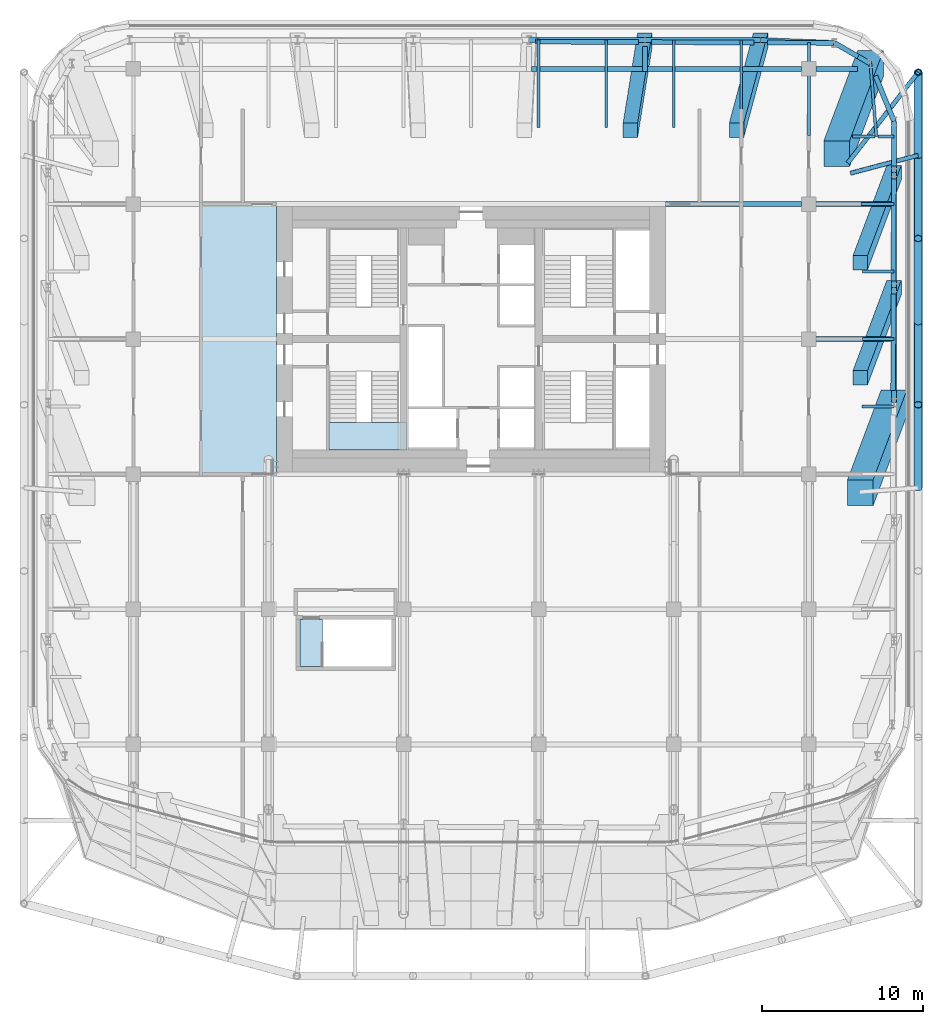
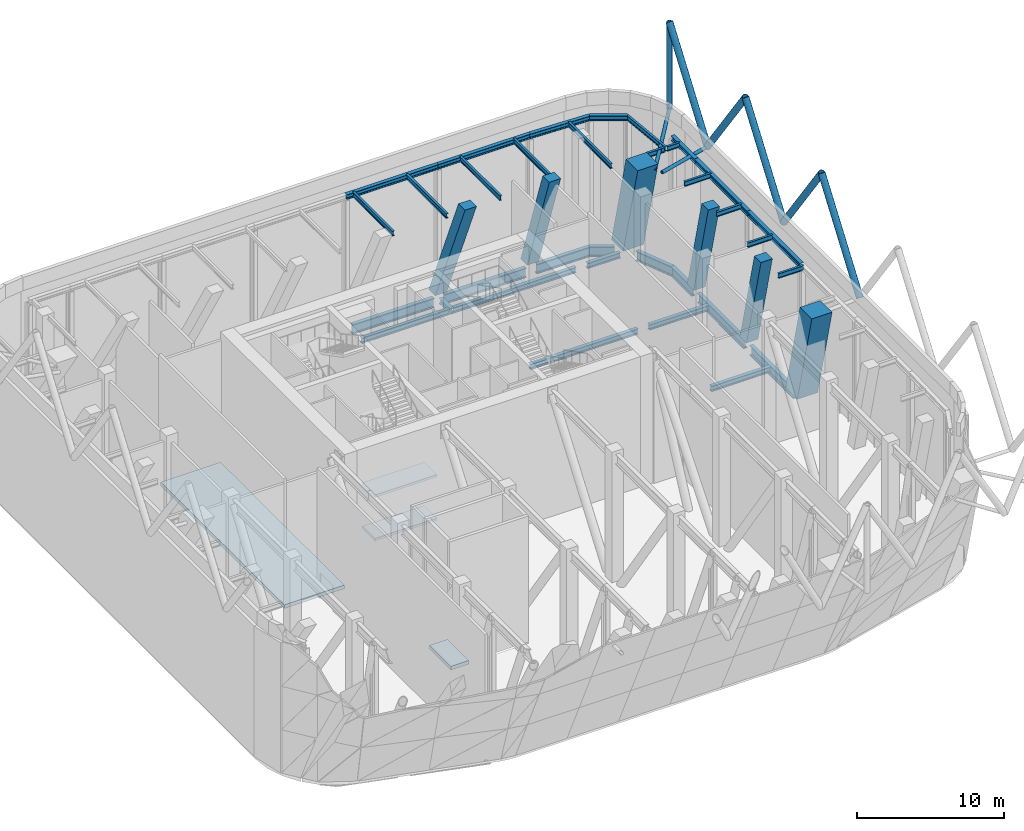
# One storey, part 8 of 20: 34 beams, 14 members, 4 slabs, 1 element without a shape of its own.
"""IFC4 building model written with IfcOpenShell, lengths in metres."""

from ifc_helpers import new_model, si_unit, direction, frame, origin, origin_2d, place, context, subcontext, project, spatial, polyline, rectangle, hollow_circle, i_section, outline, extrude, material, layer, layer_set, material_profile, profile_set, type_object, element, aggregate, save


model = new_model("IFC4")

# Units and contexts
model_context = context("Model", 3, precision=1e-05, world=origin(), true_north=direction((0.0, 1.0)))
body_context = subcontext(model_context, "Body", "Model", "MODEL_VIEW")
ifc_project = project(units=[si_unit("LENGTHUNIT", "METRE"), si_unit("AREAUNIT", "SQUARE_METRE"), si_unit("VOLUMEUNIT", "CUBIC_METRE"), si_unit("PLANEANGLEUNIT", "RADIAN"), si_unit("MASSUNIT", "GRAM", prefix="KILO")], contexts=[model_context])

# Site, building, storey
site_placement = place(None, origin())
site = spatial("IfcSite", under=ifc_project, at=site_placement, CompositionType="ELEMENT")
building_placement = place(site_placement, origin())
building = spatial("IfcBuilding", under=site, at=building_placement, Name="Marenta Gate Hotel Tower", CompositionType="ELEMENT")
storey_placement = place(building_placement, frame((0.0, 0.0, 169.699951171875)))
storey = spatial("IfcBuildingStorey", under=building, at=storey_placement, Name="L40", CompositionType="ELEMENT", Elevation=169.699951171875)

# Members
ifc_material_1 = material(Name="Steel S355J2W", Category="steel")
ifc_material_profile_1 = material_profile(ifc_material_1, hollow_circle(Radius=0.203125, WallThickness=0.02490234375, at=origin_2d()), Name="CHS 406.4x25")
ifc_profile_set_1 = profile_set([ifc_material_profile_1], Name="Steel S355J2W")
member_type_1 = type_object("IfcMemberType", Name="Diagrid corner post Z3 CHS 406.4x25", PredefinedType="POST", material=ifc_profile_set_1)
member_1_placement = place(storey_placement, frame((27.800048828125, 25.0, 10.340087890625), z_axis=(0.0, 0.0, 1.0), x_axis=(1.0, 0.0, 0.0)))
element("IfcMember", 1, at=member_1_placement, inside=storey, type_object=member_type_1, Name="L40-DR-1", PredefinedType="POST", context=body_context, shape_type="SweptSolid", body=[
    extrude(hollow_circle(Radius=0.203125, WallThickness=0.02490234375, at=origin_2d()), origin(), (0.0, 0.0, 1.0), 7.199951171875),
])
ifc_material_2 = material(Name="Steel S355J2W", Category="steel")
ifc_material_profile_2 = material_profile(ifc_material_2, hollow_circle(Radius=0.25390625, WallThickness=0.02490234375, at=origin_2d()), Name="CHS 508x25")
ifc_profile_set_2 = profile_set([ifc_material_profile_2], Name="Steel S355J2W")
member_type_2 = type_object("IfcMemberType", Name="Diagrid diagonal Z3 CHS 508x25", PredefinedType="BRACE", material=ifc_profile_set_2)
member_2_placement = place(storey_placement, frame((27.800048828125, 19.830078125, 10.340087890625), z_axis=(0.0, 0.583260841117, 0.812284919975), x_axis=(-1.0, 0.0, 0.0)))
element("IfcMember", 2, at=member_2_placement, inside=storey, type_object=member_type_2, Name="L40-DG-1", PredefinedType="BRACE", context=body_context, shape_type="SweptSolid", body=[
    extrude(hollow_circle(Radius=0.25390625, WallThickness=0.02490234375, at=origin_2d()), origin(), (0.0, 0.0, 1.0), 8.86376953125),
])
member_3_placement = place(storey_placement, frame((27.800048828125, 19.830078125, 10.340087890625), z_axis=(0.0, -0.583279014058, 0.812271870595), x_axis=(1.0, 0.0, 0.0)))
element("IfcMember", 3, at=member_3_placement, inside=storey, type_object=member_type_2, Name="L40-DG-2", PredefinedType="BRACE", context=body_context, shape_type="SweptSolid", body=[
    extrude(hollow_circle(Radius=0.25390625, WallThickness=0.02490234375, at=origin_2d()), origin(), (0.0, 0.0, 1.0), 8.864013671875),
])
member_4_placement = place(storey_placement, frame((27.800048828125, 9.489990234375, 10.340087890625), z_axis=(0.0, 0.583260841117, 0.812284919975), x_axis=(-1.0, 0.0, 0.0)))
element("IfcMember", 4, at=member_4_placement, inside=storey, type_object=member_type_2, Name="L40-DG-3", PredefinedType="BRACE", context=body_context, shape_type="SweptSolid", body=[
    extrude(hollow_circle(Radius=0.25390625, WallThickness=0.02490234375, at=origin_2d()), origin(), (0.0, 0.0, 1.0), 8.86376953125),
])
member_5_placement = place(storey_placement, frame((27.800048828125, 9.489990234375, 10.340087890625), z_axis=(0.0, -0.583279014058, 0.812271870595), x_axis=(1.0, 0.0, 0.0)))
element("IfcMember", 5, at=member_5_placement, inside=storey, type_object=member_type_2, Name="L40-DG-4", PredefinedType="BRACE", context=body_context, shape_type="SweptSolid", body=[
    extrude(hollow_circle(Radius=0.25390625, WallThickness=0.02490234375, at=origin_2d()), origin(), (0.0, 0.0, 1.0), 8.864013671875),
])
member_6_placement = place(storey_placement, frame((27.800048828125, -0.85009765625, 10.340087890625), z_axis=(0.0, 0.583260841117, 0.812284919975), x_axis=(-1.0, 0.0, 0.0)))
element("IfcMember", 6, at=member_6_placement, inside=storey, type_object=member_type_2, Name="L40-DG-5", PredefinedType="BRACE", context=body_context, shape_type="SweptSolid", body=[
    extrude(hollow_circle(Radius=0.25390625, WallThickness=0.02490234375, at=origin_2d()), origin(), (0.0, 0.0, 1.0), 8.86376953125),
])

# Beams
ifc_material_3 = material(Name="Steel S355", Category="steel")
ifc_material_profile_3 = material_profile(ifc_material_3, i_section(OverallWidth=0.302978515625, OverallDepth=0.81396484375, WebThickness=0.030029296875, FlangeThickness=0.052001953125, FilletRadius=0.030029296875, at=origin_2d()), Name="HEM 800")
ifc_profile_set_3 = profile_set([ifc_material_profile_3], Name="Steel S355")
beam_type_1 = type_object("IfcBeamType", Name="Edge beam HEM 800", PredefinedType="SPANDREL", material=ifc_profile_set_3)
beam_1_placement = place(storey_placement, frame((4.011474609375, 26.89697265625, -0.70703125), z_axis=(0.999991780119, -0.004054589324, 0.0), x_axis=(0.004054589324, 0.999991780119, 0.0)))
element("IfcBeam", 7, at=beam_1_placement, inside=storey, type_object=beam_type_1, Name="L40-EB-17", PredefinedType="SPANDREL", context=body_context, shape_type="SweptSolid", body=[
    extrude(i_section(OverallWidth=0.302978515625, OverallDepth=0.81396484375, WebThickness=0.030029296875, FlangeThickness=0.052001953125, FilletRadius=0.030029296875, at=origin_2d()), origin(), (0.0, 0.0, 1.0), 6.382568359375),
])
beam_2_placement = place(storey_placement, frame((11.214111328125, 26.86767578125, -0.70703125), z_axis=(0.999991780748, -0.00405443424, 0.0), x_axis=(0.00405443424, 0.999991780748, 0.0)))
element("IfcBeam", 8, at=beam_2_placement, inside=storey, type_object=beam_type_1, Name="L40-EB-18", PredefinedType="SPANDREL", context=body_context, shape_type="SweptSolid", body=[
    extrude(i_section(OverallWidth=0.302978515625, OverallDepth=0.81396484375, WebThickness=0.030029296875, FlangeThickness=0.052001953125, FilletRadius=0.030029296875, at=origin_2d()), origin(), (0.0, 0.0, 1.0), 6.3828125),
])
beam_3_placement = place(storey_placement, frame((18.4169921875, 26.83837890625, -0.70703125), z_axis=(0.999991621459, -0.004093532953, 0.0), x_axis=(0.004093532953, 0.999991621459, 0.0)))
element("IfcBeam", 9, at=beam_3_placement, inside=storey, type_object=beam_type_1, Name="L40-EB-19", PredefinedType="SPANDREL", context=body_context, shape_type="SweptSolid", body=[
    extrude(i_section(OverallWidth=0.302978515625, OverallDepth=0.81396484375, WebThickness=0.030029296875, FlangeThickness=0.052001953125, FilletRadius=0.030029296875, at=origin_2d()), origin(), (0.0, 0.0, 1.0), 4.1748046875),
])
beam_4_placement = place(storey_placement, frame((22.591796875, 26.8212890625, -0.70703125), z_axis=(0.866016478054, -0.500015459501, 0.0), x_axis=(0.500015459501, 0.866016478054, 0.0)))
element("IfcBeam", 10, at=beam_4_placement, inside=storey, type_object=beam_type_1, Name="L40-EB-20", PredefinedType="SPANDREL", context=body_context, shape_type="SweptSolid", body=[
    extrude(i_section(OverallWidth=0.302978515625, OverallDepth=0.81396484375, WebThickness=0.030029296875, FlangeThickness=0.052001953125, FilletRadius=0.030029296875, at=origin_2d()), origin(), (0.0, 0.0, 1.0), 1.70703125),
])
beam_5_placement = place(storey_placement, frame((25.138916015625, 24.7724609375, -0.70703125), z_axis=(0.378682450416, -0.925526661824, 0.0), x_axis=(0.925526661824, 0.378682450416, 0.0)))
element("IfcBeam", 11, at=beam_5_placement, inside=storey, type_object=beam_type_1, Name="L40-EB-21", PredefinedType="SPANDREL", context=body_context, shape_type="SweptSolid", body=[
    extrude(i_section(OverallWidth=0.302978515625, OverallDepth=0.81396484375, WebThickness=0.030029296875, FlangeThickness=0.052001953125, FilletRadius=0.030029296875, at=origin_2d()), origin(), (0.0, 0.0, 1.0), 3.066162109375),
])
beam_6_placement = place(storey_placement, frame((26.300048828125, 21.9345703125, -0.70703125), z_axis=(-0.003351542298, -0.999994383566, 0.0), x_axis=(0.999994383566, -0.003351542298, 0.0)))
element("IfcBeam", 12, at=beam_6_placement, inside=storey, type_object=beam_type_1, Name="L40-EB-22", PredefinedType="SPANDREL", context=body_context, shape_type="SweptSolid", body=[
    extrude(i_section(OverallWidth=0.302978515625, OverallDepth=0.81396484375, WebThickness=0.030029296875, FlangeThickness=0.052001953125, FilletRadius=0.030029296875, at=origin_2d()), origin(), (0.0, 0.0, 1.0), 2.76806640625),
])
beam_7_placement = place(storey_placement, frame((26.2880859375, 18.346435546875, -0.70703125), z_axis=(-0.00335374545, -0.99999437618, 0.0), x_axis=(0.99999437618, -0.00335374545, 0.0)))
element("IfcBeam", 13, at=beam_7_placement, inside=storey, type_object=beam_type_1, Name="L40-EB-23", PredefinedType="SPANDREL", context=body_context, shape_type="SweptSolid", body=[
    extrude(i_section(OverallWidth=0.302978515625, OverallDepth=0.81396484375, WebThickness=0.030029296875, FlangeThickness=0.052001953125, FilletRadius=0.030029296875, at=origin_2d()), origin(), (0.0, 0.0, 1.0), 6.333251953125),
])
beam_8_placement = place(storey_placement, frame((26.26416015625, 11.193115234375, -0.70703125), z_axis=(-0.003305160059, -0.999994537944, 0.0), x_axis=(0.999994537944, -0.003305160059, 0.0)))
element("IfcBeam", 14, at=beam_8_placement, inside=storey, type_object=beam_type_1, Name="L40-EB-24", PredefinedType="SPANDREL", context=body_context, shape_type="SweptSolid", body=[
    extrude(i_section(OverallWidth=0.302978515625, OverallDepth=0.81396484375, WebThickness=0.030029296875, FlangeThickness=0.052001953125, FilletRadius=0.030029296875, at=origin_2d()), origin(), (0.0, 0.0, 1.0), 5.983154296875),
])

# Members
ifc_material_4 = material(Name="Concrete C70", Category="concrete")
ifc_material_profile_4 = material_profile(ifc_material_4, rectangle(XDim=0.89990234375, YDim=0.89990234375, at=origin_2d()), Name="900 x 900")
ifc_profile_set_4 = profile_set([ifc_material_profile_4], Name="Concrete C70")
member_type_3 = type_object("IfcMemberType", Name="Edge column raked 900 x 900 C70", PredefinedType="STRUT", material=ifc_profile_set_4)
member_7_placement = place(storey_placement, frame((10.80419921875, 27.0, 0.0), z_axis=(0.0, 0.0, 1.0), x_axis=(1.0, 0.0, 0.0)))
element("IfcMember", 15, at=member_7_placement, inside=storey, type_object=member_type_3, Name="L40-EC-NW-NE-5", PredefinedType="STRUT", context=body_context, shape_type="SweptSolid", body=[
    extrude(rectangle(XDim=0.89990234375, YDim=0.89990234375, at=origin_2d()), origin(), (-0.073789337553, -0.459066944614, 0.885331956966), 12.198974609375),
])
member_8_placement = place(storey_placement, frame((18.0068359375, 27.0, 0.0), z_axis=(0.0, 0.0, 1.0), x_axis=(1.0, 0.0, 0.0)))
element("IfcMember", 16, at=member_8_placement, inside=storey, type_object=member_type_3, Name="L40-EC-NW-NE-6", PredefinedType="STRUT", context=body_context, shape_type="SweptSolid", body=[
    extrude(rectangle(XDim=0.89990234375, YDim=0.89990234375, at=origin_2d()), origin(), (-0.122371677564, -0.456862229812, 0.881080061914), 12.2578125),
])
member_9_placement = place(storey_placement, frame((26.300048828125, 18.75634765625, 0.0), z_axis=(0.0, 0.0, 1.0), x_axis=(1.0, 0.0, 0.0)))
element("IfcMember", 17, at=member_9_placement, inside=storey, type_object=member_type_3, Name="L40-EC-NE-E-1", PredefinedType="STRUT", context=body_context, shape_type="SweptSolid", body=[
    extrude(rectangle(XDim=0.89990234375, YDim=0.89990234375, at=origin_2d()), origin(), (-0.170111239528, -0.453597012445, 0.874821076842), 12.345458984375),
])
member_10_placement = place(storey_placement, frame((26.300048828125, 11.603271484375, 0.0), z_axis=(0.0, 0.0, 1.0), x_axis=(1.0, 0.0, 0.0)))
element("IfcMember", 18, at=member_10_placement, inside=storey, type_object=member_type_3, Name="L40-EC-NE-E-2", PredefinedType="STRUT", context=body_context, shape_type="SweptSolid", body=[
    extrude(rectangle(XDim=0.89990234375, YDim=0.89990234375, at=origin_2d()), origin(), (-0.170109713578, -0.45361271914, 0.874813229427), 12.345458984375),
])
ifc_material_5 = material(Name="Steel S355J2W", Category="steel")
ifc_material_profile_5 = material_profile(ifc_material_5, hollow_circle(Radius=0.136474609375, WallThickness=0.012451171875, at=origin_2d()), Name="CHS 273x12.5")
ifc_profile_set_5 = profile_set([ifc_material_profile_5], Name="Steel S355J2W")
member_type_4 = type_object("IfcMemberType", Name="Floor tie CHS 273x12.5", PredefinedType="STRUT", material=ifc_profile_set_5)
member_11_placement = place(storey_placement, frame((27.800048828125, 25.0, 10.340087890625), z_axis=(-0.612606853959, -0.790387779816, 0.0), x_axis=(0.790387779816, -0.612606853959, 0.0)))
element("IfcMember", 19, at=member_11_placement, inside=storey, type_object=member_type_4, Name="L40-DR-7", PredefinedType="STRUT", context=body_context, shape_type="SweptSolid", body=[
    extrude(hollow_circle(Radius=0.136474609375, WallThickness=0.012451171875, at=origin_2d()), origin(), (0.0, 0.0, 1.0), 7.15185546875),
])
member_12_placement = place(storey_placement, frame((27.800048828125, 19.830078125, 10.340087890625), z_axis=(-0.966765507576, -0.255664728426, 0.0), x_axis=(0.255664728426, -0.966765507576, 0.0)))
element("IfcMember", 20, at=member_12_placement, inside=storey, type_object=member_type_4, Name="L40-DR-8", PredefinedType="STRUT", context=body_context, shape_type="SweptSolid", body=[
    extrude(hollow_circle(Radius=0.136474609375, WallThickness=0.012451171875, at=origin_2d()), origin(), (0.0, 0.0, 1.0), 4.359130859375),
])

# Beams
ifc_material_6 = material(Name="Steel S355", Category="steel")
ifc_material_profile_6 = material_profile(ifc_material_6, i_section(OverallWidth=0.300048828125, OverallDepth=0.449951171875, WebThickness=0.013916015625, FlangeThickness=0.02587890625, FilletRadius=0.027099609375, at=origin_2d()), Name="HEB 450")
ifc_profile_set_6 = profile_set([ifc_material_profile_6], Name="Steel S355")
beam_type_2 = type_object("IfcBeamType", Name="Girder HEB 450", PredefinedType="BEAM", material=ifc_profile_set_6)
beam_9_placement = place(storey_placement, frame((21.449951171875, 8.39990234375, -0.52490234375), z_axis=(1.0, 0.0, 0.0), x_axis=(0.0, 1.0, 0.0)))
element("IfcBeam", 21, at=beam_9_placement, inside=storey, type_object=beam_type_2, Name="L40-GD-25", PredefinedType="BEAM", context=body_context, shape_type="SweptSolid", body=[
    extrude(i_section(OverallWidth=0.300048828125, OverallDepth=0.449951171875, WebThickness=0.013916015625, FlangeThickness=0.02587890625, FilletRadius=0.027099609375, at=origin_2d()), origin(), (0.0, 0.0, 1.0), 4.653564453125),
])
beam_10_placement = place(storey_placement, frame((12.10009765625, 16.800048828125, -0.52490234375), z_axis=(1.0, 0.0, 0.0), x_axis=(0.0, 1.0, 0.0)))
element("IfcBeam", 22, at=beam_10_placement, inside=storey, type_object=beam_type_2, Name="L40-GD-29", PredefinedType="BEAM", context=body_context, shape_type="SweptSolid", body=[
    extrude(i_section(OverallWidth=0.300048828125, OverallDepth=0.449951171875, WebThickness=0.013916015625, FlangeThickness=0.02587890625, FilletRadius=0.027099609375, at=origin_2d()), origin(), (0.0, 0.0, 1.0), 8.449951171875),
])
beam_11_placement = place(storey_placement, frame((21.449951171875, 16.800048828125, -0.52490234375), z_axis=(1.0, 0.0, 0.0), x_axis=(0.0, 1.0, 0.0)))
element("IfcBeam", 23, at=beam_11_placement, inside=storey, type_object=beam_type_2, Name="L40-GD-30", PredefinedType="BEAM", context=body_context, shape_type="SweptSolid", body=[
    extrude(i_section(OverallWidth=0.300048828125, OverallDepth=0.449951171875, WebThickness=0.013916015625, FlangeThickness=0.02587890625, FilletRadius=0.027099609375, at=origin_2d()), origin(), (0.0, 0.0, 1.0), 4.681396484375),
])
beam_12_placement = place(storey_placement, frame((3.75146484375, 25.199951171875, -0.52490234375), z_axis=(1.0, 0.0, 0.0), x_axis=(0.0, 1.0, 0.0)))
element("IfcBeam", 24, at=beam_12_placement, inside=storey, type_object=beam_type_2, Name="L40-GD-35", PredefinedType="BEAM", context=body_context, shape_type="SweptSolid", body=[
    extrude(i_section(OverallWidth=0.300048828125, OverallDepth=0.449951171875, WebThickness=0.013916015625, FlangeThickness=0.02587890625, FilletRadius=0.027099609375, at=origin_2d()), origin(), (0.0, 0.0, 1.0), 6.902587890625),
])
beam_13_placement = place(storey_placement, frame((10.9541015625, 25.199951171875, -0.52490234375), z_axis=(1.0, 0.0, 0.0), x_axis=(0.0, 1.0, 0.0)))
element("IfcBeam", 25, at=beam_13_placement, inside=storey, type_object=beam_type_2, Name="L40-GD-36", PredefinedType="BEAM", context=body_context, shape_type="SweptSolid", body=[
    extrude(i_section(OverallWidth=0.300048828125, OverallDepth=0.449951171875, WebThickness=0.013916015625, FlangeThickness=0.02587890625, FilletRadius=0.027099609375, at=origin_2d()), origin(), (0.0, 0.0, 1.0), 9.595947265625),
])
beam_14_placement = place(storey_placement, frame((21.449951171875, 25.199951171875, -0.52490234375), z_axis=(1.0, 0.0, 0.0), x_axis=(0.0, 1.0, 0.0)))
element("IfcBeam", 26, at=beam_14_placement, inside=storey, type_object=beam_type_2, Name="L40-GD-37", PredefinedType="BEAM", context=body_context, shape_type="SweptSolid", body=[
    extrude(i_section(OverallWidth=0.300048828125, OverallDepth=0.449951171875, WebThickness=0.013916015625, FlangeThickness=0.02587890625, FilletRadius=0.027099609375, at=origin_2d()), origin(), (0.0, 0.0, 1.0), 2.58544921875),
])
ifc_material_7 = material(Name="Steel S355", Category="steel")
ifc_material_profile_7 = material_profile(ifc_material_7, i_section(OverallWidth=0.300048828125, OverallDepth=0.449951171875, WebThickness=0.013916015625, FlangeThickness=0.02587890625, FilletRadius=0.027099609375, at=origin_2d()), Name="HEB 450")
ifc_profile_set_7 = profile_set([ifc_material_profile_7], Name="Steel S355")
beam_type_3 = type_object("IfcBeamType", Name="Girder bracket HEB 450", PredefinedType="BEAM", material=ifc_profile_set_7)
beam_15_placement = place(storey_placement, frame((10.80419921875, 25.050048828125, -0.52490234375), z_axis=(0.0, 1.0, 0.0), x_axis=(-1.0, 0.0, 0.0)))
element("IfcBeam", 27, at=beam_15_placement, inside=storey, type_object=beam_type_3, Name="L40-GS-4", PredefinedType="BEAM", context=body_context, shape_type="SweptSolid", body=[
    extrude(i_section(OverallWidth=0.300048828125, OverallDepth=0.449951171875, WebThickness=0.013916015625, FlangeThickness=0.02587890625, FilletRadius=0.027099609375, at=origin_2d()), origin(), (0.0, 0.0, 1.0), 1.5400390625),
])

# Members
ifc_material_8 = material(Name="Concrete C70", Category="concrete")
ifc_material_profile_8 = material_profile(ifc_material_8, rectangle(XDim=1.60009765625, YDim=1.60009765625, at=origin_2d()), Name="1600 x 1600")
ifc_profile_set_8 = profile_set([ifc_material_profile_8], Name="Concrete C70")
member_type_5 = type_object("IfcMemberType", Name="Mega column raked 1600 x 1600 C70", PredefinedType="STRUT", material=ifc_profile_set_8)
member_13_placement = place(storey_placement, frame((26.300048828125, 4.449951171875, 0.0), z_axis=(0.0, 0.0, 1.0), x_axis=(1.0, 0.0, 0.0)))
element("IfcMember", 28, at=member_13_placement, inside=storey, type_object=member_type_5, Name="L40-MC-E", PredefinedType="STRUT", context=body_context, shape_type="SweptSolid", body=[
    extrude(rectangle(XDim=1.60009765625, YDim=1.60009765625, at=origin_2d()), origin(), (-0.170111239528, -0.453597012445, 0.874821076842), 12.345458984375),
])
member_14_placement = place(storey_placement, frame((24.83544921875, 25.535400390625, 0.0), z_axis=(0.0, 0.0, 1.0), x_axis=(1.0, 0.0, 0.0)))
element("IfcMember", 29, at=member_14_placement, inside=storey, type_object=member_type_5, Name="L40-MC-NE", PredefinedType="STRUT", context=body_context, shape_type="SweptSolid", body=[
    extrude(rectangle(XDim=1.60009765625, YDim=1.60009765625, at=origin_2d()), origin(), (-0.170092035922, -0.453598538302, 0.874824019656), 12.345458984375),
])

# Beams
ifc_material_9 = material(Name="Steel S355", Category="steel")
ifc_material_profile_9 = material_profile(ifc_material_9, i_section(OverallWidth=0.179931640625, OverallDepth=0.39990234375, WebThickness=0.008544921875, FlangeThickness=0.013427734375, FilletRadius=0.02099609375, at=origin_2d()), Name="IPE 400")
ifc_profile_set_9 = profile_set([ifc_material_profile_9], Name="Steel S355")
beam_type_4 = type_object("IfcBeamType", Name="Terrace beam IPE 400", PredefinedType="JOIST", material=ifc_profile_set_9)
for number, where, z_axis, x_axis, name in (
    (30, (4.199951171875, 21.551025390625, 10.340087890625), (0.0, 1.0, 0.0), (-1.0, 0.0, 0.0), "L40-TB-8"),
    (31, (8.39990234375, 21.551025390625, 10.340087890625), (0.0, 1.0, 0.0), (-1.0, 0.0, 0.0), "L40-TB-9"),
    (32, (12.60009765625, 21.551025390625, 10.340087890625), (0.0, 1.0, 0.0), (-1.0, 0.0, 0.0), "L40-TB-10"),
    (33, (16.800048828125, 21.551025390625, 10.340087890625), (0.0, 1.0, 0.0), (-1.0, 0.0, 0.0), "L40-TB-11"),
):
    element("IfcBeam", number, at=place(storey_placement, frame(where, z_axis=z_axis, x_axis=x_axis)), inside=storey, type_object=beam_type_4, Name=name, PredefinedType="JOIST", context=body_context, shape_type="SweptSolid", body=[
        extrude(i_section(OverallWidth=0.179931640625, OverallDepth=0.39990234375, WebThickness=0.008544921875, FlangeThickness=0.013427734375, FilletRadius=0.02099609375, at=origin_2d()), origin(), (0.0, 0.0, 1.0), 5.448974609375),
    ])
beam_16_placement = place(storey_placement, frame((21.0, 21.062744140625, 10.340087890625), z_axis=(0.0, 1.0, 0.0), x_axis=(-1.0, 0.0, 0.0)))
element("IfcBeam", 34, at=beam_16_placement, inside=storey, type_object=beam_type_4, Name="L40-TB-12", PredefinedType="JOIST", context=body_context, shape_type="SweptSolid", body=[
    extrude(i_section(OverallWidth=0.179931640625, OverallDepth=0.39990234375, WebThickness=0.008544921875, FlangeThickness=0.013427734375, FilletRadius=0.02099609375, at=origin_2d()), origin(), (0.0, 0.0, 1.0), 5.786376953125),
])
beam_17_placement = place(storey_placement, frame((25.199951171875, 21.0, 10.340087890625), z_axis=(-0.081551516595, 0.996669127715, 0.0), x_axis=(-0.996669127715, -0.081551516595, 0.0)))
element("IfcBeam", 35, at=beam_17_placement, inside=storey, type_object=beam_type_4, Name="L40-TB-13", PredefinedType="JOIST", context=body_context, shape_type="SweptSolid", body=[
    extrude(i_section(OverallWidth=0.179931640625, OverallDepth=0.39990234375, WebThickness=0.008544921875, FlangeThickness=0.013427734375, FilletRadius=0.02099609375, at=origin_2d()), origin(), (0.0, 0.0, 1.0), 4.54443359375),
])
beam_18_placement = place(storey_placement, frame((24.310546875, 4.199951171875, 10.340087890625), z_axis=(1.0, 0.0, 0.0), x_axis=(0.0, 1.0, 0.0)))
element("IfcBeam", 36, at=beam_18_placement, inside=storey, type_object=beam_type_4, Name="L40-TB-18", PredefinedType="JOIST", context=body_context, shape_type="SweptSolid", body=[
    extrude(i_section(OverallWidth=0.179931640625, OverallDepth=0.39990234375, WebThickness=0.008544921875, FlangeThickness=0.013427734375, FilletRadius=0.02099609375, at=origin_2d()), origin(), (0.0, 0.0, 1.0), 1.989501953125),
])
beam_19_placement = place(storey_placement, frame((24.324462890625, 8.39990234375, 10.340087890625), z_axis=(1.0, 0.0, 0.0), x_axis=(0.0, 1.0, 0.0)))
element("IfcBeam", 37, at=beam_19_placement, inside=storey, type_object=beam_type_4, Name="L40-TB-19", PredefinedType="JOIST", context=body_context, shape_type="SweptSolid", body=[
    extrude(i_section(OverallWidth=0.179931640625, OverallDepth=0.39990234375, WebThickness=0.008544921875, FlangeThickness=0.013427734375, FilletRadius=0.02099609375, at=origin_2d()), origin(), (0.0, 0.0, 1.0), 1.9755859375),
])
beam_20_placement = place(storey_placement, frame((24.338623046875, 12.60009765625, 10.340087890625), z_axis=(1.0, 0.0, 0.0), x_axis=(0.0, 1.0, 0.0)))
element("IfcBeam", 38, at=beam_20_placement, inside=storey, type_object=beam_type_4, Name="L40-TB-20", PredefinedType="JOIST", context=body_context, shape_type="SweptSolid", body=[
    extrude(i_section(OverallWidth=0.179931640625, OverallDepth=0.39990234375, WebThickness=0.008544921875, FlangeThickness=0.013427734375, FilletRadius=0.02099609375, at=origin_2d()), origin(), (0.0, 0.0, 1.0), 1.96142578125),
])
beam_21_placement = place(storey_placement, frame((24.233154296875, 16.800048828125, 10.340087890625), z_axis=(1.0, 0.0, 0.0), x_axis=(0.0, 1.0, 0.0)))
element("IfcBeam", 39, at=beam_21_placement, inside=storey, type_object=beam_type_4, Name="L40-TB-21", PredefinedType="JOIST", context=body_context, shape_type="SweptSolid", body=[
    extrude(i_section(OverallWidth=0.179931640625, OverallDepth=0.39990234375, WebThickness=0.008544921875, FlangeThickness=0.013427734375, FilletRadius=0.02099609375, at=origin_2d()), origin(), (0.0, 0.0, 1.0), 2.06689453125),
])
beam_22_placement = place(storey_placement, frame((23.700927734375, 21.0, 10.340087890625), z_axis=(1.0, 0.0, 0.0), x_axis=(0.0, 1.0, 0.0)))
element("IfcBeam", 40, at=beam_22_placement, inside=storey, type_object=beam_type_4, Name="L40-TB-22", PredefinedType="JOIST", context=body_context, shape_type="SweptSolid", body=[
    extrude(i_section(OverallWidth=0.179931640625, OverallDepth=0.39990234375, WebThickness=0.008544921875, FlangeThickness=0.013427734375, FilletRadius=0.02099609375, at=origin_2d()), origin(), (0.0, 0.0, 1.0), 1.40869140625),
])
beam_23_placement = place(storey_placement, frame((25.290283203125, 21.0, 10.340087890625), z_axis=(1.0, 0.0, 0.0), x_axis=(0.0, 1.0, 0.0)))
element("IfcBeam", 41, at=beam_23_placement, inside=storey, type_object=beam_type_4, Name="L40-TB-32", PredefinedType="JOIST", context=body_context, shape_type="SweptSolid", body=[
    extrude(i_section(OverallWidth=0.179931640625, OverallDepth=0.39990234375, WebThickness=0.008544921875, FlangeThickness=0.013427734375, FilletRadius=0.02099609375, at=origin_2d()), origin(), (0.0, 0.0, 1.0), 1.009765625),
])
ifc_material_10 = material(Name="Steel S355", Category="steel")
ifc_material_profile_10 = material_profile(ifc_material_10, i_section(OverallWidth=0.300048828125, OverallDepth=0.39990234375, WebThickness=0.013427734375, FlangeThickness=0.02392578125, FilletRadius=0.027099609375, at=origin_2d()), Name="HEB 400")
ifc_profile_set_10 = profile_set([ifc_material_profile_10], Name="Steel S355")
beam_type_5 = type_object("IfcBeamType", Name="Terrace edge beam HEB 400", PredefinedType="SPANDREL", material=ifc_profile_set_10)
beam_24_placement = place(storey_placement, frame((3.601318359375, 27.0, 10.340087890625), z_axis=(1.0, 0.0, 0.0), x_axis=(0.0, 1.0, 0.0)))
element("IfcBeam", 42, at=beam_24_placement, inside=storey, type_object=beam_type_5, Name="L40-TE-13", PredefinedType="SPANDREL", context=body_context, shape_type="SweptSolid", body=[
    extrude(i_section(OverallWidth=0.300048828125, OverallDepth=0.39990234375, WebThickness=0.013427734375, FlangeThickness=0.02392578125, FilletRadius=0.027099609375, at=origin_2d()), origin(), (0.0, 0.0, 1.0), 7.202880859375),
])
beam_25_placement = place(storey_placement, frame((10.80419921875, 27.0, 10.340087890625), z_axis=(1.0, 0.0, 0.0), x_axis=(0.0, 1.0, 0.0)))
element("IfcBeam", 43, at=beam_25_placement, inside=storey, type_object=beam_type_5, Name="L40-TE-14", PredefinedType="SPANDREL", context=body_context, shape_type="SweptSolid", body=[
    extrude(i_section(OverallWidth=0.300048828125, OverallDepth=0.39990234375, WebThickness=0.013427734375, FlangeThickness=0.02392578125, FilletRadius=0.027099609375, at=origin_2d()), origin(), (0.0, 0.0, 1.0), 7.20263671875),
])
beam_26_placement = place(storey_placement, frame((18.0068359375, 27.0, 10.340087890625), z_axis=(0.999241236412, -0.038948060972, 0.0), x_axis=(0.038948060972, 0.999241236412, 0.0)))
element("IfcBeam", 44, at=beam_26_placement, inside=storey, type_object=beam_type_5, Name="L40-TE-15", PredefinedType="SPANDREL", context=body_context, shape_type="SweptSolid", body=[
    extrude(i_section(OverallWidth=0.300048828125, OverallDepth=0.39990234375, WebThickness=0.013427734375, FlangeThickness=0.02392578125, FilletRadius=0.027099609375, at=origin_2d()), origin(), (0.0, 0.0, 1.0), 4.58837890625),
])
beam_27_placement = place(storey_placement, frame((22.591796875, 26.8212890625, 10.340087890625), z_axis=(0.866001476168, -0.500041441558, 0.0), x_axis=(0.500041441558, 0.866001476168, 0.0)))
element("IfcBeam", 45, at=beam_27_placement, inside=storey, type_object=beam_type_5, Name="L40-TE-16", PredefinedType="SPANDREL", context=body_context, shape_type="SweptSolid", body=[
    extrude(i_section(OverallWidth=0.300048828125, OverallDepth=0.39990234375, WebThickness=0.013427734375, FlangeThickness=0.02392578125, FilletRadius=0.027099609375, at=origin_2d()), origin(), (0.0, 0.0, 1.0), 2.583740234375),
])
beam_28_placement = place(storey_placement, frame((26.300048828125, 21.9345703125, 10.340087890625), z_axis=(0.0, -1.0, 0.0), x_axis=(1.0, 0.0, 0.0)))
element("IfcBeam", 46, at=beam_28_placement, inside=storey, type_object=beam_type_5, Name="L40-TE-17", PredefinedType="SPANDREL", context=body_context, shape_type="SweptSolid", body=[
    extrude(i_section(OverallWidth=0.300048828125, OverallDepth=0.39990234375, WebThickness=0.013427734375, FlangeThickness=0.02392578125, FilletRadius=0.027099609375, at=origin_2d()), origin(), (0.0, 0.0, 1.0), 3.17822265625),
])
beam_29_placement = place(storey_placement, frame((26.300048828125, 18.75634765625, 10.340087890625), z_axis=(0.0, -1.0, 0.0), x_axis=(1.0, 0.0, 0.0)))
element("IfcBeam", 47, at=beam_29_placement, inside=storey, type_object=beam_type_5, Name="L40-TE-18", PredefinedType="SPANDREL", context=body_context, shape_type="SweptSolid", body=[
    extrude(i_section(OverallWidth=0.300048828125, OverallDepth=0.39990234375, WebThickness=0.013427734375, FlangeThickness=0.02392578125, FilletRadius=0.027099609375, at=origin_2d()), origin(), (0.0, 0.0, 1.0), 7.153076171875),
])
beam_30_placement = place(storey_placement, frame((26.300048828125, 11.603271484375, 10.340087890625), z_axis=(0.0, -1.0, 0.0), x_axis=(1.0, 0.0, 0.0)))
element("IfcBeam", 48, at=beam_30_placement, inside=storey, type_object=beam_type_5, Name="L40-TE-19", PredefinedType="SPANDREL", context=body_context, shape_type="SweptSolid", body=[
    extrude(i_section(OverallWidth=0.300048828125, OverallDepth=0.39990234375, WebThickness=0.013427734375, FlangeThickness=0.02392578125, FilletRadius=0.027099609375, at=origin_2d()), origin(), (0.0, 0.0, 1.0), 7.1533203125),
])

# Slab
ifc_material_11 = material(Name="Concrete C40", Category="concrete")
ifc_layer_1 = layer(ifc_material_11, 0.300048828125)
ifc_layer_set_1 = layer_set([ifc_layer_1], Name="Concrete C40")
slab_type_1 = type_object("IfcSlabType", Name="Core floor slab 300", PredefinedType="FLOOR", material=ifc_layer_set_1)
slab_1_placement = place(storey_placement, frame((0.0, 0.0, -0.300048828125)))
element("IfcSlab", 49, at=slab_1_placement, inside=storey, type_object=slab_type_1, Name="L40-CF-7", PredefinedType="FLOOR", context=body_context, shape_type="SweptSolid", body=[
    extrude(outline(polyline([(-12.10009765625, 16.800048828125), (-12.10009765625, 0.0), (-16.800048828125, 0.0), (-16.800048828125, 16.800048828125), (-12.10009765625, 16.800048828125)])), origin(), (0.0, 0.0, 1.0), 0.300048828125),
])

# Stair, slabs
ifc_material_12 = material(Name="Concrete C40", Category="concrete")
stair_type = type_object("IfcStairType", Name="Core exit stair 1700 wide", PredefinedType="HALF_TURN_STAIR", material=ifc_material_12)
stair_placement = place(storey_placement, origin())
stair = element("IfcStair", 50, at=stair_placement, inside=storey, type_object=stair_type, Name="Exit stair 1", PredefinedType="HALF_TURN_STAIR")
ifc_material_13 = material(Name="Concrete C40", Category="concrete")
ifc_layer_2 = layer(ifc_material_13, 0.199951171875)
ifc_layer_set_2 = layer_set([ifc_layer_2], Name="Concrete C40")
slab_type_2 = type_object("IfcSlabType", Name="Core stair landing 200", PredefinedType="LANDING", material=ifc_layer_set_2)
slab_2_placement = place(storey_placement, frame((0.0, 0.0, 1.60009765625)))
slab_2 = element("IfcSlab", 51, at=slab_2_placement, type_object=slab_type_2, Name="SL-200 ST1 landing 1", PredefinedType="LANDING", context=body_context, shape_type="SweptSolid", body=[
    extrude(outline(polyline([(-8.85009765625, 1.5), (-3.97509765625, 1.5), (-3.97509765625, 3.2099609375), (-8.85009765625, 3.2099609375), (-8.85009765625, 1.5)])), origin(), (0.0, 0.0, 1.0), 0.199951171875),
])
slab_3_placement = place(storey_placement, frame((0.0, 0.0, 5.199951171875)))
slab_3 = element("IfcSlab", 52, at=slab_3_placement, type_object=slab_type_2, Name="SL-200 ST1 landing 3", PredefinedType="LANDING", context=body_context, shape_type="SweptSolid", body=[
    extrude(outline(polyline([(-8.85009765625, 1.5), (-3.97509765625, 1.5), (-3.97509765625, 3.2099609375), (-8.85009765625, 3.2099609375), (-8.85009765625, 1.5)])), origin(), (0.0, 0.0, 1.0), 0.2001953125),
])
aggregate(stair, [slab_2, slab_3])

# Slab
ifc_material_14 = material(Name="Concrete C40", Category="concrete")
ifc_layer_3 = layer(ifc_material_14, 0.300048828125)
ifc_layer_set_3 = layer_set([ifc_layer_3], Name="Concrete C40")
slab_type_3 = type_object("IfcSlabType", Name="Stair floor landing slab 300", PredefinedType="FLOOR", material=ifc_layer_set_3)
slab_4_placement = place(storey_placement, frame((0.0, 0.0, -0.300048828125)))
element("IfcSlab", 53, at=slab_4_placement, inside=storey, type_object=slab_type_3, Name="L40-RS-Z2-1-CL", PredefinedType="FLOOR", context=body_context, shape_type="SweptSolid", body=[
    extrude(outline(polyline([(-9.25, -11.949951171875), (-9.25, -9.050048828125), (-10.64990234375, -9.050048828125), (-10.64990234375, -11.949951171875), (-9.25, -11.949951171875)])), origin(), (0.0, 0.0, 1.0), 0.300048828125),
])

save(model, "model.ifc")
